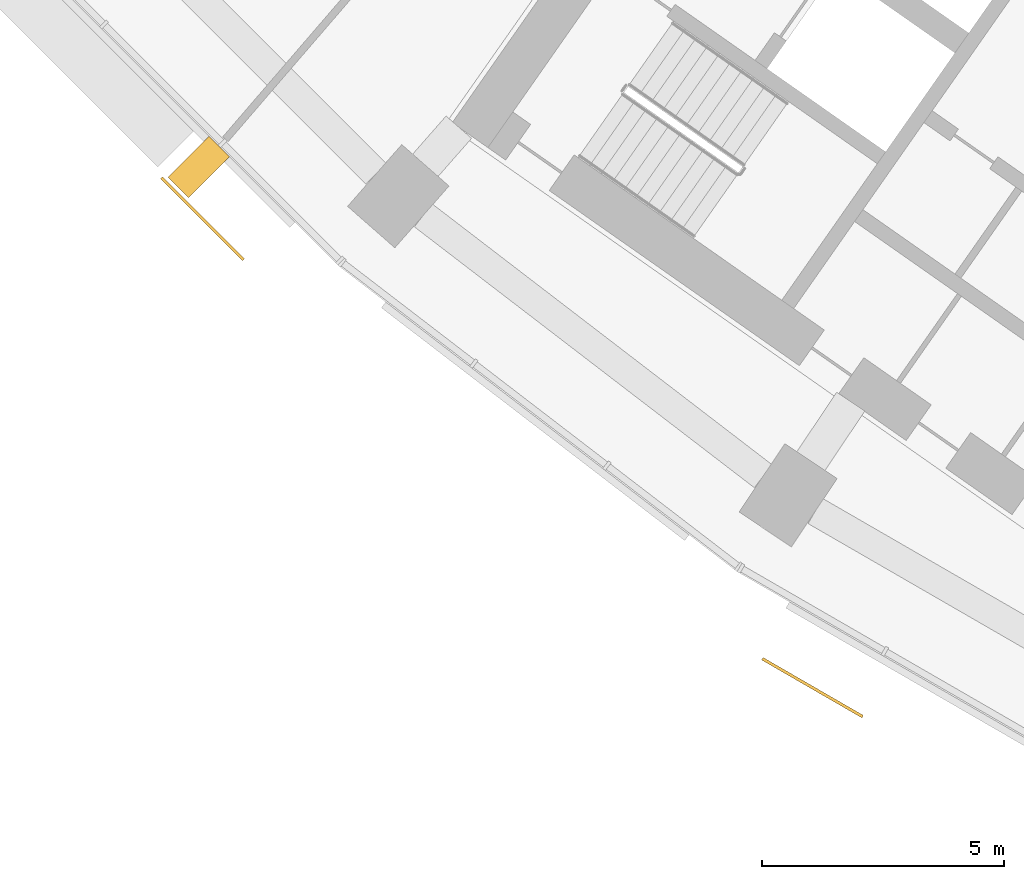
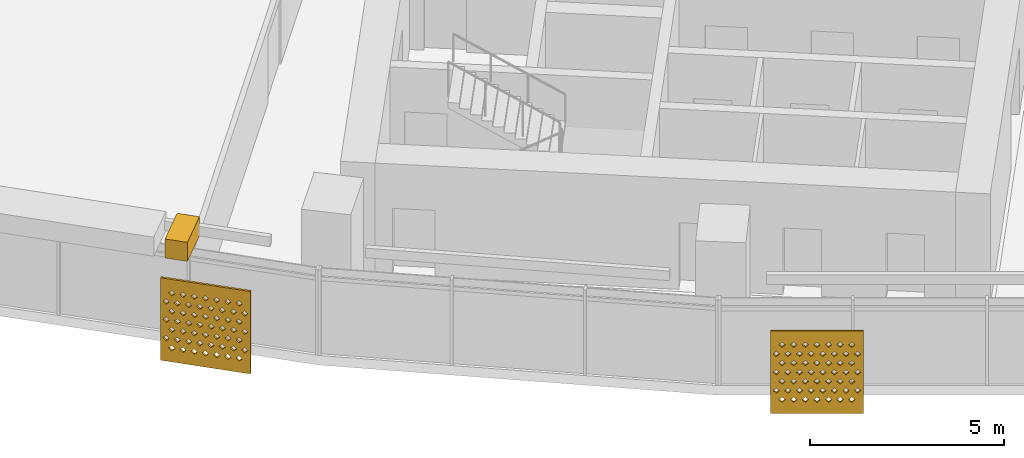
# One storey, part 26 of 30: 3 shading devices.
"""IFC4 building model written with IfcOpenShell, lengths in metres."""

import ifcopenshell
import ifcopenshell.guid

model = None  # the IFC model being written
_history = None  # IfcOwnerHistory: only IFC2X3 demands one
_inside = {}  # id of a spatial element -> (the spatial element, [elements in it])
_under = {}  # id of a project, library or spatial element -> (it, [spatial elements below it])
_declared = {}  # id of a project -> (the project, [libraries it declares])
_typed = {}  # id of a type object -> (the type object, [elements of that type])
_made_of = {}  # id of a material, layer set ... -> (it, [elements and type objects made of it])


def new_model(schema):
    """Start an empty IFC model of exactly this schema.

    Asked for "IFC4X3", IfcOpenShell would pick the latest addendum, in which some entities
    have other attributes; the version numbers below select the first issue.
    IFC2X3 requires an IfcOwnerHistory on every rooted entity: one is made here for all.
    """
    global model, _history
    if schema == "IFC4X3":
        model = ifcopenshell.file(schema_version=(4, 3, 0, 0))
    else:
        model = ifcopenshell.file(schema=schema)
    _inside.clear()
    _under.clear()
    _declared.clear()
    _typed.clear()
    _made_of.clear()
    _history = None
    if model.schema == "IFC2X3":
        org = make("IfcOrganization", Name="unknown")
        user = make(
            "IfcPersonAndOrganization",
            ThePerson=make("IfcPerson", FamilyName="unknown"),
            TheOrganization=org,
        )
        app = make(
            "IfcApplication",
            ApplicationDeveloper=org,
            Version="unknown",
            ApplicationFullName="unknown",
            ApplicationIdentifier="unknown",
        )
        _history = make(
            "IfcOwnerHistory",
            OwningUser=user,
            OwningApplication=app,
            ChangeAction="ADDED",
            CreationDate=0,
        )
    return model


def make(cls, **values):
    """One entity of the class cls with the attributes given. An attribute that is None is left unset."""
    return model.create_entity(
        cls, **{name: value for name, value in values.items() if value is not None}
    )


def rooted(cls, **values):
    """An entity with a GlobalId (a new one), such as an element, a storey or a relation."""
    return make(cls, GlobalId=ifcopenshell.guid.new(), OwnerHistory=_history, **values)


def si_unit(unit_type, name, prefix=None):
    """IfcSIUnit, for example si_unit("LENGTHUNIT", "METRE", prefix="MILLI")."""
    return make("IfcSIUnit", UnitType=unit_type, Prefix=prefix, Name=name)


def assignment(units):
    """IfcUnitAssignment: the units of a project."""
    return None if units is None else make("IfcUnitAssignment", Units=units)


def point(xyz):
    """IfcCartesianPoint."""
    return None if xyz is None else make("IfcCartesianPoint", Coordinates=xyz)


def direction(xyz):
    """IfcDirection."""
    return None if xyz is None else make("IfcDirection", DirectionRatios=xyz)


def frame(location, z_axis=None, x_axis=None):
    """IfcAxis2Placement3D, a coordinate frame: its origin and axes. An axis left out is left unset."""
    return make(
        "IfcAxis2Placement3D",
        Location=point(location),
        Axis=direction(z_axis),
        RefDirection=direction(x_axis),
    )


def origin():
    """The frame at (0, 0, 0) with its axes left unset."""
    return frame((0.0, 0.0, 0.0))


def place(relative_to, where):
    """IfcLocalPlacement: puts the frame where relative to a parent placement (None: the world)."""
    return make(
        "IfcLocalPlacement", PlacementRelTo=relative_to, RelativePlacement=where
    )


def context(
    kind, dimensions, precision=None, world=None, true_north=None, identifier=None
):
    """IfcGeometricRepresentationContext, for example the 3D "Model" context."""
    return make(
        "IfcGeometricRepresentationContext",
        ContextIdentifier=identifier,
        ContextType=kind,
        CoordinateSpaceDimension=dimensions,
        Precision=precision,
        WorldCoordinateSystem=world,
        TrueNorth=true_north,
    )


def subcontext(parent, identifier, kind, view, scale=None):
    """IfcGeometricRepresentationSubContext, for example "Body" below "Model"."""
    return make(
        "IfcGeometricRepresentationSubContext",
        ContextIdentifier=identifier,
        ContextType=kind,
        ParentContext=parent,
        TargetScale=scale,
        TargetView=view,
    )


def project(units=None, contexts=None):
    """IfcProject with its units and contexts."""
    return rooted(
        "IfcProject",
        Name="project",
        RepresentationContexts=contexts,
        UnitsInContext=assignment(units),
    )


def spatial(cls, under=None, at=None, **own):
    """A site, building, storey or space (cls), placed at a placement, below another one or the project."""
    s = rooted(cls, ObjectPlacement=at, **own)
    if under is not None:
        _under.setdefault(under.id(), (under, []))[1].append(s)
    return s


def polyline(points):
    """IfcPolyline through the points."""
    return make("IfcPolyline", Points=[point(p) for p in points])


def outline(outer, holes=None, kind="AREA"):
    """IfcArbitraryClosedProfileDef: a profile drawn as a closed curve; with holes, ...WithVoids."""
    if holes is None:
        return make("IfcArbitraryClosedProfileDef", ProfileType=kind, OuterCurve=outer)
    return make(
        "IfcArbitraryProfileDefWithVoids",
        ProfileType=kind,
        OuterCurve=outer,
        InnerCurves=holes,
    )


def extrude(swept, where, along, depth):
    """IfcExtrudedAreaSolid: the profile swept, set in the frame where, extruded along a direction by depth."""
    return make(
        "IfcExtrudedAreaSolid",
        SweptArea=swept,
        Position=where,
        ExtrudedDirection=direction(along),
        Depth=depth,
    )


def shape(context_of_items, identifier, shape_type, items):
    """IfcShapeRepresentation: the items that make up one representation, for example the "Body"."""
    return make(
        "IfcShapeRepresentation",
        ContextOfItems=context_of_items,
        RepresentationIdentifier=identifier,
        RepresentationType=shape_type,
        Items=items,
    )


def material(Name=None, Category=None):
    """IfcMaterial."""
    return make("IfcMaterial", Name=Name, Category=Category)


def material_profile(
    of_material, cross_section, Name=None, Category=None, Priority=None
):
    """IfcMaterialProfile: a cross section and its material."""
    return make(
        "IfcMaterialProfile",
        Name=Name,
        Material=of_material,
        Profile=cross_section,
        Priority=Priority,
        Category=Category,
    )


def profile_set(profiles, Name=None, composite=None):
    """IfcMaterialProfileSet."""
    return make(
        "IfcMaterialProfileSet",
        Name=Name,
        MaterialProfiles=profiles,
        CompositeProfile=composite,
    )


def made_of(thing, what):
    """Note that an element or type object is made of a material, layer set ...; save() writes the relation."""
    if what is not None:
        _made_of.setdefault(what.id(), (what, []))[1].append(thing)
    return thing


def type_object(cls, material=None, **own):
    """A type object (cls), such as IfcWallType, which elements share."""
    return made_of(rooted(cls, **own), material)


def element(
    cls,
    number,
    at=None,
    inside=None,
    cuts=None,
    type_object=None,
    material=None,
    context=None,
    identifier="Body",
    shape_type=None,
    held_by="IfcProductDefinitionShape",
    body=None,
    shapes=None,
    **own,
):
    """One element of the class cls, such as IfcWall. Its Tag is "e" and its number.

    at: its placement. inside: the storey or other place that contains it. cuts: it is an
    opening in that element (IfcRelVoidsElement). A single representation is given by context,
    identifier, shape_type and body (its items); several are given by shapes. held_by: the class
    of the entity that holds the representations. save() writes the other relations.
    """
    e = rooted(cls, Tag="e%d" % number, ObjectPlacement=at, **own)
    if body is not None:
        shapes = [shape(context, identifier, shape_type, body)]
    if shapes is not None:
        e.Representation = make(held_by, Representations=shapes)
    if inside is not None:
        _inside.setdefault(inside.id(), (inside, []))[1].append(e)
    if cuts is not None:
        rooted(
            "IfcRelVoidsElement", RelatingBuildingElement=cuts, RelatedOpeningElement=e
        )
    if type_object is not None:
        _typed.setdefault(type_object.id(), (type_object, []))[1].append(e)
    return made_of(e, material)


def aggregate(whole, parts):
    """IfcRelAggregates: a whole, such as a stair, and the parts it consists of."""
    return rooted("IfcRelAggregates", RelatingObject=whole, RelatedObjects=parts)


def save(model, path):
    """Write the relations noted so far, then the file.

    IfcRelAggregates (storeys below a building ...), IfcRelContainedInSpatialStructure (elements
    in a storey), IfcRelDefinesByType, IfcRelAssociatesMaterial and IfcRelDeclares: one each for
    every whole, place, type object, material and project.
    """
    for whole, parts in _under.values():
        aggregate(whole, parts)
    for where, things in _inside.values():
        rooted(
            "IfcRelContainedInSpatialStructure",
            RelatedElements=things,
            RelatingStructure=where,
        )
    for kind, things in _typed.values():
        rooted("IfcRelDefinesByType", RelatedObjects=things, RelatingType=kind)
    for what, things in _made_of.values():
        rooted("IfcRelAssociatesMaterial", RelatedObjects=things, RelatingMaterial=what)
    for by, libraries in _declared.values():
        rooted("IfcRelDeclares", RelatingContext=by, RelatedDefinitions=libraries)
    model.write(path)


model = new_model("IFC4")

# Units and contexts
model_context = context("Model", 3, precision=1e-05, world=origin(), true_north=direction((0.0, 1.0)))
body_context = subcontext(model_context, "Body", "Model", "MODEL_VIEW")
ifc_project = project(units=[si_unit("LENGTHUNIT", "METRE"), si_unit("AREAUNIT", "SQUARE_METRE"), si_unit("VOLUMEUNIT", "CUBIC_METRE"), si_unit("PLANEANGLEUNIT", "RADIAN"), si_unit("MASSUNIT", "GRAM", prefix="KILO")], contexts=[model_context])

# Site, building, storey
site_placement = place(None, origin())
site = spatial("IfcSite", under=ifc_project, at=site_placement, CompositionType="ELEMENT")
building_placement = place(site_placement, origin())
building = spatial("IfcBuilding", under=site, at=building_placement, Name="Qamariyya Broadcast Tower", CompositionType="ELEMENT")
storey_placement = place(building_placement, frame((0.0, 0.0, 67.10009765625)))
storey = spatial("IfcBuildingStorey", under=building, at=storey_placement, Name="L13", CompositionType="ELEMENT", Elevation=67.10009765625)

# Shading devices
ifc_material_1 = material(Name="Steel S355 powder coated deep red", Category="steel")
shading_device_type_1 = type_object("IfcShadingDeviceType", Name="Deep red frame, powder coated steel box section", PredefinedType="USERDEFINED", material=ifc_material_1)
shading_device_1_placement = place(storey_placement, frame((0.0, 0.0, 3.199951171875)))
element("IfcShadingDevice", 1, at=shading_device_1_placement, inside=storey, type_object=shading_device_type_1, Name="e-frm-B1-F1-postb-L13", ObjectType="FRAME", PredefinedType="USERDEFINED", context=body_context, shape_type="SweptSolid", body=[
    extrude(outline(polyline([(-55.184814453125, -57.21630859375), (-56.033203125, -58.064697265625), (-55.60888671875, -58.489013671875), (-54.760498046875, -57.640380859375), (-55.184814453125, -57.21630859375)])), origin(), (0.0, 0.0, 1.0), 0.599853515625),
])
ifc_material_2 = material(Name="Perforated glazed terracotta", Category="masonry")
ifc_material_profile = material_profile(ifc_material_2, outline(polyline([(-1.199951171875, -1.300048828125), (1.199951171875, -1.300048828125), (1.199951171875, 1.300048828125), (-1.199951171875, 1.300048828125), (-1.199951171875, -1.300048828125)]), holes=[polyline([(-0.81494140625, -0.86669921875), (-0.89990234375, -0.78173828125), (-0.985107421875, -0.86669921875), (-0.89990234375, -0.95166015625), (-0.81494140625, -0.86669921875)]), polyline([(-0.514892578125, -0.86669921875), (-0.60009765625, -0.78173828125), (-0.68505859375, -0.86669921875), (-0.60009765625, -0.95166015625), (-0.514892578125, -0.86669921875)]), polyline([(-0.215087890625, -0.86669921875), (-0.300048828125, -0.78173828125), (-0.385009765625, -0.86669921875), (-0.300048828125, -0.95166015625), (-0.215087890625, -0.86669921875)]), polyline([(0.0849609375, -0.86669921875), (0.0, -0.78173828125), (-0.0849609375, -0.86669921875), (0.0, -0.95166015625), (0.0849609375, -0.86669921875)]), polyline([(0.385009765625, -0.86669921875), (0.300048828125, -0.78173828125), (0.215087890625, -0.86669921875), (0.300048828125, -0.95166015625), (0.385009765625, -0.86669921875)]), polyline([(0.68505859375, -0.86669921875), (0.60009765625, -0.78173828125), (0.514892578125, -0.86669921875), (0.60009765625, -0.95166015625), (0.68505859375, -0.86669921875)]), polyline([(0.985107421875, -0.86669921875), (0.89990234375, -0.78173828125), (0.81494140625, -0.86669921875), (0.89990234375, -0.95166015625), (0.985107421875, -0.86669921875)]), polyline([(-0.965087890625, -0.577880859375), (-1.050048828125, -0.49267578125), (-1.135009765625, -0.577880859375), (-1.050048828125, -0.662841796875), (-0.965087890625, -0.577880859375)]), polyline([(-0.6650390625, -0.577880859375), (-0.75, -0.49267578125), (-0.8349609375, -0.577880859375), (-0.75, -0.662841796875), (-0.6650390625, -0.577880859375)]), polyline([(-0.364990234375, -0.577880859375), (-0.449951171875, -0.49267578125), (-0.534912109375, -0.577880859375), (-0.449951171875, -0.662841796875), (-0.364990234375, -0.577880859375)]), polyline([(-0.06494140625, -0.577880859375), (-0.14990234375, -0.49267578125), (-0.235107421875, -0.577880859375), (-0.14990234375, -0.662841796875), (-0.06494140625, -0.577880859375)]), polyline([(0.235107421875, -0.577880859375), (0.14990234375, -0.49267578125), (0.06494140625, -0.577880859375), (0.14990234375, -0.662841796875), (0.235107421875, -0.577880859375)]), polyline([(0.534912109375, -0.577880859375), (0.449951171875, -0.49267578125), (0.364990234375, -0.577880859375), (0.449951171875, -0.662841796875), (0.534912109375, -0.577880859375)]), polyline([(0.8349609375, -0.577880859375), (0.75, -0.49267578125), (0.6650390625, -0.577880859375), (0.75, -0.662841796875), (0.8349609375, -0.577880859375)]), polyline([(1.135009765625, -0.577880859375), (1.050048828125, -0.49267578125), (0.965087890625, -0.577880859375), (1.050048828125, -0.662841796875), (1.135009765625, -0.577880859375)]), polyline([(-0.81494140625, -0.288818359375), (-0.89990234375, -0.203857421875), (-0.985107421875, -0.288818359375), (-0.89990234375, -0.373779296875), (-0.81494140625, -0.288818359375)]), polyline([(-0.514892578125, -0.288818359375), (-0.60009765625, -0.203857421875), (-0.68505859375, -0.288818359375), (-0.60009765625, -0.373779296875), (-0.514892578125, -0.288818359375)]), polyline([(-0.215087890625, -0.288818359375), (-0.300048828125, -0.203857421875), (-0.385009765625, -0.288818359375), (-0.300048828125, -0.373779296875), (-0.215087890625, -0.288818359375)]), polyline([(0.0849609375, -0.288818359375), (0.0, -0.203857421875), (-0.0849609375, -0.288818359375), (0.0, -0.373779296875), (0.0849609375, -0.288818359375)]), polyline([(0.385009765625, -0.288818359375), (0.300048828125, -0.203857421875), (0.215087890625, -0.288818359375), (0.300048828125, -0.373779296875), (0.385009765625, -0.288818359375)]), polyline([(0.68505859375, -0.288818359375), (0.60009765625, -0.203857421875), (0.514892578125, -0.288818359375), (0.60009765625, -0.373779296875), (0.68505859375, -0.288818359375)]), polyline([(0.985107421875, -0.288818359375), (0.89990234375, -0.203857421875), (0.81494140625, -0.288818359375), (0.89990234375, -0.373779296875), (0.985107421875, -0.288818359375)]), polyline([(-0.965087890625, 0.0), (-1.050048828125, 0.0849609375), (-1.135009765625, 0.0), (-1.050048828125, -0.0849609375), (-0.965087890625, 0.0)]), polyline([(-0.6650390625, 0.0), (-0.75, 0.0849609375), (-0.8349609375, 0.0), (-0.75, -0.0849609375), (-0.6650390625, 0.0)]), polyline([(-0.364990234375, 0.0), (-0.449951171875, 0.0849609375), (-0.534912109375, 0.0), (-0.449951171875, -0.0849609375), (-0.364990234375, 0.0)]), polyline([(-0.06494140625, 0.0), (-0.14990234375, 0.0849609375), (-0.235107421875, 0.0), (-0.14990234375, -0.0849609375), (-0.06494140625, 0.0)]), polyline([(0.235107421875, 0.0), (0.14990234375, 0.0849609375), (0.06494140625, 0.0), (0.14990234375, -0.0849609375), (0.235107421875, 0.0)]), polyline([(0.534912109375, 0.0), (0.449951171875, 0.0849609375), (0.364990234375, 0.0), (0.449951171875, -0.0849609375), (0.534912109375, 0.0)]), polyline([(0.8349609375, 0.0), (0.75, 0.0849609375), (0.6650390625, 0.0), (0.75, -0.0849609375), (0.8349609375, 0.0)]), polyline([(1.135009765625, 0.0), (1.050048828125, 0.0849609375), (0.965087890625, 0.0), (1.050048828125, -0.0849609375), (1.135009765625, 0.0)]), polyline([(-0.81494140625, 0.288818359375), (-0.89990234375, 0.373779296875), (-0.985107421875, 0.288818359375), (-0.89990234375, 0.203857421875), (-0.81494140625, 0.288818359375)]), polyline([(-0.514892578125, 0.288818359375), (-0.60009765625, 0.373779296875), (-0.68505859375, 0.288818359375), (-0.60009765625, 0.203857421875), (-0.514892578125, 0.288818359375)]), polyline([(-0.215087890625, 0.288818359375), (-0.300048828125, 0.373779296875), (-0.385009765625, 0.288818359375), (-0.300048828125, 0.203857421875), (-0.215087890625, 0.288818359375)]), polyline([(0.0849609375, 0.288818359375), (0.0, 0.373779296875), (-0.0849609375, 0.288818359375), (0.0, 0.203857421875), (0.0849609375, 0.288818359375)]), polyline([(0.385009765625, 0.288818359375), (0.300048828125, 0.373779296875), (0.215087890625, 0.288818359375), (0.300048828125, 0.203857421875), (0.385009765625, 0.288818359375)]), polyline([(0.68505859375, 0.288818359375), (0.60009765625, 0.373779296875), (0.514892578125, 0.288818359375), (0.60009765625, 0.203857421875), (0.68505859375, 0.288818359375)]), polyline([(0.985107421875, 0.288818359375), (0.89990234375, 0.373779296875), (0.81494140625, 0.288818359375), (0.89990234375, 0.203857421875), (0.985107421875, 0.288818359375)]), polyline([(-0.965087890625, 0.577880859375), (-1.050048828125, 0.662841796875), (-1.135009765625, 0.577880859375), (-1.050048828125, 0.49267578125), (-0.965087890625, 0.577880859375)]), polyline([(-0.6650390625, 0.577880859375), (-0.75, 0.662841796875), (-0.8349609375, 0.577880859375), (-0.75, 0.49267578125), (-0.6650390625, 0.577880859375)]), polyline([(-0.364990234375, 0.577880859375), (-0.449951171875, 0.662841796875), (-0.534912109375, 0.577880859375), (-0.449951171875, 0.49267578125), (-0.364990234375, 0.577880859375)]), polyline([(-0.06494140625, 0.577880859375), (-0.14990234375, 0.662841796875), (-0.235107421875, 0.577880859375), (-0.14990234375, 0.49267578125), (-0.06494140625, 0.577880859375)]), polyline([(0.235107421875, 0.577880859375), (0.14990234375, 0.662841796875), (0.06494140625, 0.577880859375), (0.14990234375, 0.49267578125), (0.235107421875, 0.577880859375)]), polyline([(0.534912109375, 0.577880859375), (0.449951171875, 0.662841796875), (0.364990234375, 0.577880859375), (0.449951171875, 0.49267578125), (0.534912109375, 0.577880859375)]), polyline([(0.8349609375, 0.577880859375), (0.75, 0.662841796875), (0.6650390625, 0.577880859375), (0.75, 0.49267578125), (0.8349609375, 0.577880859375)]), polyline([(1.135009765625, 0.577880859375), (1.050048828125, 0.662841796875), (0.965087890625, 0.577880859375), (1.050048828125, 0.49267578125), (1.135009765625, 0.577880859375)]), polyline([(-0.81494140625, 0.86669921875), (-0.89990234375, 0.95166015625), (-0.985107421875, 0.86669921875), (-0.89990234375, 0.78173828125), (-0.81494140625, 0.86669921875)]), polyline([(-0.514892578125, 0.86669921875), (-0.60009765625, 0.95166015625), (-0.68505859375, 0.86669921875), (-0.60009765625, 0.78173828125), (-0.514892578125, 0.86669921875)]), polyline([(-0.215087890625, 0.86669921875), (-0.300048828125, 0.95166015625), (-0.385009765625, 0.86669921875), (-0.300048828125, 0.78173828125), (-0.215087890625, 0.86669921875)]), polyline([(0.0849609375, 0.86669921875), (0.0, 0.95166015625), (-0.0849609375, 0.86669921875), (0.0, 0.78173828125), (0.0849609375, 0.86669921875)]), polyline([(0.385009765625, 0.86669921875), (0.300048828125, 0.95166015625), (0.215087890625, 0.86669921875), (0.300048828125, 0.78173828125), (0.385009765625, 0.86669921875)]), polyline([(0.68505859375, 0.86669921875), (0.60009765625, 0.95166015625), (0.514892578125, 0.86669921875), (0.60009765625, 0.78173828125), (0.68505859375, 0.86669921875)]), polyline([(0.985107421875, 0.86669921875), (0.89990234375, 0.95166015625), (0.81494140625, 0.86669921875), (0.89990234375, 0.78173828125), (0.985107421875, 0.86669921875)])]))
ifc_profile_set = profile_set([ifc_material_profile], Name="Perforated glazed terracotta")
shading_device_type_2 = type_object("IfcShadingDeviceType", Name="Perforated terracotta screen 2400 x 2600", PredefinedType="USERDEFINED", material=ifc_profile_set)
shading_device_2_placement = place(storey_placement, frame((-55.293701171875, -58.9033203125, 1.349853515625), z_axis=(-0.707106781187, -0.707106781187, 0.0), x_axis=(0.707106781187, -0.707106781187, 0.0)))
element("IfcShadingDevice", 2, at=shading_device_2_placement, inside=storey, type_object=shading_device_type_2, Name="e-scr-L13-02-2", ObjectType="SCREEN", PredefinedType="USERDEFINED", context=body_context, shape_type="SweptSolid", body=[
    extrude(outline(polyline([(-1.199951171875, -1.300048828125), (1.199951171875, -1.300048828125), (1.199951171875, 1.300048828125), (-1.199951171875, 1.300048828125), (-1.199951171875, -1.300048828125)]), holes=[polyline([(-0.81494140625, -0.86669921875), (-0.89990234375, -0.78173828125), (-0.985107421875, -0.86669921875), (-0.89990234375, -0.95166015625), (-0.81494140625, -0.86669921875)]), polyline([(-0.514892578125, -0.86669921875), (-0.60009765625, -0.78173828125), (-0.68505859375, -0.86669921875), (-0.60009765625, -0.95166015625), (-0.514892578125, -0.86669921875)]), polyline([(-0.215087890625, -0.86669921875), (-0.300048828125, -0.78173828125), (-0.385009765625, -0.86669921875), (-0.300048828125, -0.95166015625), (-0.215087890625, -0.86669921875)]), polyline([(0.0849609375, -0.86669921875), (0.0, -0.78173828125), (-0.0849609375, -0.86669921875), (0.0, -0.95166015625), (0.0849609375, -0.86669921875)]), polyline([(0.385009765625, -0.86669921875), (0.300048828125, -0.78173828125), (0.215087890625, -0.86669921875), (0.300048828125, -0.95166015625), (0.385009765625, -0.86669921875)]), polyline([(0.68505859375, -0.86669921875), (0.60009765625, -0.78173828125), (0.514892578125, -0.86669921875), (0.60009765625, -0.95166015625), (0.68505859375, -0.86669921875)]), polyline([(0.985107421875, -0.86669921875), (0.89990234375, -0.78173828125), (0.81494140625, -0.86669921875), (0.89990234375, -0.95166015625), (0.985107421875, -0.86669921875)]), polyline([(-0.965087890625, -0.577880859375), (-1.050048828125, -0.49267578125), (-1.135009765625, -0.577880859375), (-1.050048828125, -0.662841796875), (-0.965087890625, -0.577880859375)]), polyline([(-0.6650390625, -0.577880859375), (-0.75, -0.49267578125), (-0.8349609375, -0.577880859375), (-0.75, -0.662841796875), (-0.6650390625, -0.577880859375)]), polyline([(-0.364990234375, -0.577880859375), (-0.449951171875, -0.49267578125), (-0.534912109375, -0.577880859375), (-0.449951171875, -0.662841796875), (-0.364990234375, -0.577880859375)]), polyline([(-0.06494140625, -0.577880859375), (-0.14990234375, -0.49267578125), (-0.235107421875, -0.577880859375), (-0.14990234375, -0.662841796875), (-0.06494140625, -0.577880859375)]), polyline([(0.235107421875, -0.577880859375), (0.14990234375, -0.49267578125), (0.06494140625, -0.577880859375), (0.14990234375, -0.662841796875), (0.235107421875, -0.577880859375)]), polyline([(0.534912109375, -0.577880859375), (0.449951171875, -0.49267578125), (0.364990234375, -0.577880859375), (0.449951171875, -0.662841796875), (0.534912109375, -0.577880859375)]), polyline([(0.8349609375, -0.577880859375), (0.75, -0.49267578125), (0.6650390625, -0.577880859375), (0.75, -0.662841796875), (0.8349609375, -0.577880859375)]), polyline([(1.135009765625, -0.577880859375), (1.050048828125, -0.49267578125), (0.965087890625, -0.577880859375), (1.050048828125, -0.662841796875), (1.135009765625, -0.577880859375)]), polyline([(-0.81494140625, -0.288818359375), (-0.89990234375, -0.203857421875), (-0.985107421875, -0.288818359375), (-0.89990234375, -0.373779296875), (-0.81494140625, -0.288818359375)]), polyline([(-0.514892578125, -0.288818359375), (-0.60009765625, -0.203857421875), (-0.68505859375, -0.288818359375), (-0.60009765625, -0.373779296875), (-0.514892578125, -0.288818359375)]), polyline([(-0.215087890625, -0.288818359375), (-0.300048828125, -0.203857421875), (-0.385009765625, -0.288818359375), (-0.300048828125, -0.373779296875), (-0.215087890625, -0.288818359375)]), polyline([(0.0849609375, -0.288818359375), (0.0, -0.203857421875), (-0.0849609375, -0.288818359375), (0.0, -0.373779296875), (0.0849609375, -0.288818359375)]), polyline([(0.385009765625, -0.288818359375), (0.300048828125, -0.203857421875), (0.215087890625, -0.288818359375), (0.300048828125, -0.373779296875), (0.385009765625, -0.288818359375)]), polyline([(0.68505859375, -0.288818359375), (0.60009765625, -0.203857421875), (0.514892578125, -0.288818359375), (0.60009765625, -0.373779296875), (0.68505859375, -0.288818359375)]), polyline([(0.985107421875, -0.288818359375), (0.89990234375, -0.203857421875), (0.81494140625, -0.288818359375), (0.89990234375, -0.373779296875), (0.985107421875, -0.288818359375)]), polyline([(-0.965087890625, 0.0), (-1.050048828125, 0.0849609375), (-1.135009765625, 0.0), (-1.050048828125, -0.0849609375), (-0.965087890625, 0.0)]), polyline([(-0.6650390625, 0.0), (-0.75, 0.0849609375), (-0.8349609375, 0.0), (-0.75, -0.0849609375), (-0.6650390625, 0.0)]), polyline([(-0.364990234375, 0.0), (-0.449951171875, 0.0849609375), (-0.534912109375, 0.0), (-0.449951171875, -0.0849609375), (-0.364990234375, 0.0)]), polyline([(-0.06494140625, 0.0), (-0.14990234375, 0.0849609375), (-0.235107421875, 0.0), (-0.14990234375, -0.0849609375), (-0.06494140625, 0.0)]), polyline([(0.235107421875, 0.0), (0.14990234375, 0.0849609375), (0.06494140625, 0.0), (0.14990234375, -0.0849609375), (0.235107421875, 0.0)]), polyline([(0.534912109375, 0.0), (0.449951171875, 0.0849609375), (0.364990234375, 0.0), (0.449951171875, -0.0849609375), (0.534912109375, 0.0)]), polyline([(0.8349609375, 0.0), (0.75, 0.0849609375), (0.6650390625, 0.0), (0.75, -0.0849609375), (0.8349609375, 0.0)]), polyline([(1.135009765625, 0.0), (1.050048828125, 0.0849609375), (0.965087890625, 0.0), (1.050048828125, -0.0849609375), (1.135009765625, 0.0)]), polyline([(-0.81494140625, 0.288818359375), (-0.89990234375, 0.373779296875), (-0.985107421875, 0.288818359375), (-0.89990234375, 0.203857421875), (-0.81494140625, 0.288818359375)]), polyline([(-0.514892578125, 0.288818359375), (-0.60009765625, 0.373779296875), (-0.68505859375, 0.288818359375), (-0.60009765625, 0.203857421875), (-0.514892578125, 0.288818359375)]), polyline([(-0.215087890625, 0.288818359375), (-0.300048828125, 0.373779296875), (-0.385009765625, 0.288818359375), (-0.300048828125, 0.203857421875), (-0.215087890625, 0.288818359375)]), polyline([(0.0849609375, 0.288818359375), (0.0, 0.373779296875), (-0.0849609375, 0.288818359375), (0.0, 0.203857421875), (0.0849609375, 0.288818359375)]), polyline([(0.385009765625, 0.288818359375), (0.300048828125, 0.373779296875), (0.215087890625, 0.288818359375), (0.300048828125, 0.203857421875), (0.385009765625, 0.288818359375)]), polyline([(0.68505859375, 0.288818359375), (0.60009765625, 0.373779296875), (0.514892578125, 0.288818359375), (0.60009765625, 0.203857421875), (0.68505859375, 0.288818359375)]), polyline([(0.985107421875, 0.288818359375), (0.89990234375, 0.373779296875), (0.81494140625, 0.288818359375), (0.89990234375, 0.203857421875), (0.985107421875, 0.288818359375)]), polyline([(-0.965087890625, 0.577880859375), (-1.050048828125, 0.662841796875), (-1.135009765625, 0.577880859375), (-1.050048828125, 0.49267578125), (-0.965087890625, 0.577880859375)]), polyline([(-0.6650390625, 0.577880859375), (-0.75, 0.662841796875), (-0.8349609375, 0.577880859375), (-0.75, 0.49267578125), (-0.6650390625, 0.577880859375)]), polyline([(-0.364990234375, 0.577880859375), (-0.449951171875, 0.662841796875), (-0.534912109375, 0.577880859375), (-0.449951171875, 0.49267578125), (-0.364990234375, 0.577880859375)]), polyline([(-0.06494140625, 0.577880859375), (-0.14990234375, 0.662841796875), (-0.235107421875, 0.577880859375), (-0.14990234375, 0.49267578125), (-0.06494140625, 0.577880859375)]), polyline([(0.235107421875, 0.577880859375), (0.14990234375, 0.662841796875), (0.06494140625, 0.577880859375), (0.14990234375, 0.49267578125), (0.235107421875, 0.577880859375)]), polyline([(0.534912109375, 0.577880859375), (0.449951171875, 0.662841796875), (0.364990234375, 0.577880859375), (0.449951171875, 0.49267578125), (0.534912109375, 0.577880859375)]), polyline([(0.8349609375, 0.577880859375), (0.75, 0.662841796875), (0.6650390625, 0.577880859375), (0.75, 0.49267578125), (0.8349609375, 0.577880859375)]), polyline([(1.135009765625, 0.577880859375), (1.050048828125, 0.662841796875), (0.965087890625, 0.577880859375), (1.050048828125, 0.49267578125), (1.135009765625, 0.577880859375)]), polyline([(-0.81494140625, 0.86669921875), (-0.89990234375, 0.95166015625), (-0.985107421875, 0.86669921875), (-0.89990234375, 0.78173828125), (-0.81494140625, 0.86669921875)]), polyline([(-0.514892578125, 0.86669921875), (-0.60009765625, 0.95166015625), (-0.68505859375, 0.86669921875), (-0.60009765625, 0.78173828125), (-0.514892578125, 0.86669921875)]), polyline([(-0.215087890625, 0.86669921875), (-0.300048828125, 0.95166015625), (-0.385009765625, 0.86669921875), (-0.300048828125, 0.78173828125), (-0.215087890625, 0.86669921875)]), polyline([(0.0849609375, 0.86669921875), (0.0, 0.95166015625), (-0.0849609375, 0.86669921875), (0.0, 0.78173828125), (0.0849609375, 0.86669921875)]), polyline([(0.385009765625, 0.86669921875), (0.300048828125, 0.95166015625), (0.215087890625, 0.86669921875), (0.300048828125, 0.78173828125), (0.385009765625, 0.86669921875)]), polyline([(0.68505859375, 0.86669921875), (0.60009765625, 0.95166015625), (0.514892578125, 0.86669921875), (0.60009765625, 0.78173828125), (0.68505859375, 0.86669921875)]), polyline([(0.985107421875, 0.86669921875), (0.89990234375, 0.95166015625), (0.81494140625, 0.86669921875), (0.89990234375, 0.78173828125), (0.985107421875, 0.86669921875)])]), origin(), (0.0, 0.0, 1.0), 0.06005859375),
])
shading_device_3_placement = place(storey_placement, frame((-42.67578125, -68.6025390625, 1.349853515625), z_axis=(-0.500074377092, -0.865982457891, 0.0), x_axis=(0.865982457891, -0.500074377092, 0.0)))
element("IfcShadingDevice", 3, at=shading_device_3_placement, inside=storey, type_object=shading_device_type_2, Name="e-scr-L13-04-0", ObjectType="SCREEN", PredefinedType="USERDEFINED", context=body_context, shape_type="SweptSolid", body=[
    extrude(outline(polyline([(-1.199951171875, -1.300048828125), (1.199951171875, -1.300048828125), (1.199951171875, 1.300048828125), (-1.199951171875, 1.300048828125), (-1.199951171875, -1.300048828125)]), holes=[polyline([(-0.81494140625, -0.86669921875), (-0.89990234375, -0.78173828125), (-0.985107421875, -0.86669921875), (-0.89990234375, -0.95166015625), (-0.81494140625, -0.86669921875)]), polyline([(-0.514892578125, -0.86669921875), (-0.60009765625, -0.78173828125), (-0.68505859375, -0.86669921875), (-0.60009765625, -0.95166015625), (-0.514892578125, -0.86669921875)]), polyline([(-0.215087890625, -0.86669921875), (-0.300048828125, -0.78173828125), (-0.385009765625, -0.86669921875), (-0.300048828125, -0.95166015625), (-0.215087890625, -0.86669921875)]), polyline([(0.0849609375, -0.86669921875), (0.0, -0.78173828125), (-0.0849609375, -0.86669921875), (0.0, -0.95166015625), (0.0849609375, -0.86669921875)]), polyline([(0.385009765625, -0.86669921875), (0.300048828125, -0.78173828125), (0.215087890625, -0.86669921875), (0.300048828125, -0.95166015625), (0.385009765625, -0.86669921875)]), polyline([(0.68505859375, -0.86669921875), (0.60009765625, -0.78173828125), (0.514892578125, -0.86669921875), (0.60009765625, -0.95166015625), (0.68505859375, -0.86669921875)]), polyline([(0.985107421875, -0.86669921875), (0.89990234375, -0.78173828125), (0.81494140625, -0.86669921875), (0.89990234375, -0.95166015625), (0.985107421875, -0.86669921875)]), polyline([(-0.965087890625, -0.577880859375), (-1.050048828125, -0.49267578125), (-1.135009765625, -0.577880859375), (-1.050048828125, -0.662841796875), (-0.965087890625, -0.577880859375)]), polyline([(-0.6650390625, -0.577880859375), (-0.75, -0.49267578125), (-0.8349609375, -0.577880859375), (-0.75, -0.662841796875), (-0.6650390625, -0.577880859375)]), polyline([(-0.364990234375, -0.577880859375), (-0.449951171875, -0.49267578125), (-0.534912109375, -0.577880859375), (-0.449951171875, -0.662841796875), (-0.364990234375, -0.577880859375)]), polyline([(-0.06494140625, -0.577880859375), (-0.14990234375, -0.49267578125), (-0.235107421875, -0.577880859375), (-0.14990234375, -0.662841796875), (-0.06494140625, -0.577880859375)]), polyline([(0.235107421875, -0.577880859375), (0.14990234375, -0.49267578125), (0.06494140625, -0.577880859375), (0.14990234375, -0.662841796875), (0.235107421875, -0.577880859375)]), polyline([(0.534912109375, -0.577880859375), (0.449951171875, -0.49267578125), (0.364990234375, -0.577880859375), (0.449951171875, -0.662841796875), (0.534912109375, -0.577880859375)]), polyline([(0.8349609375, -0.577880859375), (0.75, -0.49267578125), (0.6650390625, -0.577880859375), (0.75, -0.662841796875), (0.8349609375, -0.577880859375)]), polyline([(1.135009765625, -0.577880859375), (1.050048828125, -0.49267578125), (0.965087890625, -0.577880859375), (1.050048828125, -0.662841796875), (1.135009765625, -0.577880859375)]), polyline([(-0.81494140625, -0.288818359375), (-0.89990234375, -0.203857421875), (-0.985107421875, -0.288818359375), (-0.89990234375, -0.373779296875), (-0.81494140625, -0.288818359375)]), polyline([(-0.514892578125, -0.288818359375), (-0.60009765625, -0.203857421875), (-0.68505859375, -0.288818359375), (-0.60009765625, -0.373779296875), (-0.514892578125, -0.288818359375)]), polyline([(-0.215087890625, -0.288818359375), (-0.300048828125, -0.203857421875), (-0.385009765625, -0.288818359375), (-0.300048828125, -0.373779296875), (-0.215087890625, -0.288818359375)]), polyline([(0.0849609375, -0.288818359375), (0.0, -0.203857421875), (-0.0849609375, -0.288818359375), (0.0, -0.373779296875), (0.0849609375, -0.288818359375)]), polyline([(0.385009765625, -0.288818359375), (0.300048828125, -0.203857421875), (0.215087890625, -0.288818359375), (0.300048828125, -0.373779296875), (0.385009765625, -0.288818359375)]), polyline([(0.68505859375, -0.288818359375), (0.60009765625, -0.203857421875), (0.514892578125, -0.288818359375), (0.60009765625, -0.373779296875), (0.68505859375, -0.288818359375)]), polyline([(0.985107421875, -0.288818359375), (0.89990234375, -0.203857421875), (0.81494140625, -0.288818359375), (0.89990234375, -0.373779296875), (0.985107421875, -0.288818359375)]), polyline([(-0.965087890625, 0.0), (-1.050048828125, 0.0849609375), (-1.135009765625, 0.0), (-1.050048828125, -0.0849609375), (-0.965087890625, 0.0)]), polyline([(-0.6650390625, 0.0), (-0.75, 0.0849609375), (-0.8349609375, 0.0), (-0.75, -0.0849609375), (-0.6650390625, 0.0)]), polyline([(-0.364990234375, 0.0), (-0.449951171875, 0.0849609375), (-0.534912109375, 0.0), (-0.449951171875, -0.0849609375), (-0.364990234375, 0.0)]), polyline([(-0.06494140625, 0.0), (-0.14990234375, 0.0849609375), (-0.235107421875, 0.0), (-0.14990234375, -0.0849609375), (-0.06494140625, 0.0)]), polyline([(0.235107421875, 0.0), (0.14990234375, 0.0849609375), (0.06494140625, 0.0), (0.14990234375, -0.0849609375), (0.235107421875, 0.0)]), polyline([(0.534912109375, 0.0), (0.449951171875, 0.0849609375), (0.364990234375, 0.0), (0.449951171875, -0.0849609375), (0.534912109375, 0.0)]), polyline([(0.8349609375, 0.0), (0.75, 0.0849609375), (0.6650390625, 0.0), (0.75, -0.0849609375), (0.8349609375, 0.0)]), polyline([(1.135009765625, 0.0), (1.050048828125, 0.0849609375), (0.965087890625, 0.0), (1.050048828125, -0.0849609375), (1.135009765625, 0.0)]), polyline([(-0.81494140625, 0.288818359375), (-0.89990234375, 0.373779296875), (-0.985107421875, 0.288818359375), (-0.89990234375, 0.203857421875), (-0.81494140625, 0.288818359375)]), polyline([(-0.514892578125, 0.288818359375), (-0.60009765625, 0.373779296875), (-0.68505859375, 0.288818359375), (-0.60009765625, 0.203857421875), (-0.514892578125, 0.288818359375)]), polyline([(-0.215087890625, 0.288818359375), (-0.300048828125, 0.373779296875), (-0.385009765625, 0.288818359375), (-0.300048828125, 0.203857421875), (-0.215087890625, 0.288818359375)]), polyline([(0.0849609375, 0.288818359375), (0.0, 0.373779296875), (-0.0849609375, 0.288818359375), (0.0, 0.203857421875), (0.0849609375, 0.288818359375)]), polyline([(0.385009765625, 0.288818359375), (0.300048828125, 0.373779296875), (0.215087890625, 0.288818359375), (0.300048828125, 0.203857421875), (0.385009765625, 0.288818359375)]), polyline([(0.68505859375, 0.288818359375), (0.60009765625, 0.373779296875), (0.514892578125, 0.288818359375), (0.60009765625, 0.203857421875), (0.68505859375, 0.288818359375)]), polyline([(0.985107421875, 0.288818359375), (0.89990234375, 0.373779296875), (0.81494140625, 0.288818359375), (0.89990234375, 0.203857421875), (0.985107421875, 0.288818359375)]), polyline([(-0.965087890625, 0.577880859375), (-1.050048828125, 0.662841796875), (-1.135009765625, 0.577880859375), (-1.050048828125, 0.49267578125), (-0.965087890625, 0.577880859375)]), polyline([(-0.6650390625, 0.577880859375), (-0.75, 0.662841796875), (-0.8349609375, 0.577880859375), (-0.75, 0.49267578125), (-0.6650390625, 0.577880859375)]), polyline([(-0.364990234375, 0.577880859375), (-0.449951171875, 0.662841796875), (-0.534912109375, 0.577880859375), (-0.449951171875, 0.49267578125), (-0.364990234375, 0.577880859375)]), polyline([(-0.06494140625, 0.577880859375), (-0.14990234375, 0.662841796875), (-0.235107421875, 0.577880859375), (-0.14990234375, 0.49267578125), (-0.06494140625, 0.577880859375)]), polyline([(0.235107421875, 0.577880859375), (0.14990234375, 0.662841796875), (0.06494140625, 0.577880859375), (0.14990234375, 0.49267578125), (0.235107421875, 0.577880859375)]), polyline([(0.534912109375, 0.577880859375), (0.449951171875, 0.662841796875), (0.364990234375, 0.577880859375), (0.449951171875, 0.49267578125), (0.534912109375, 0.577880859375)]), polyline([(0.8349609375, 0.577880859375), (0.75, 0.662841796875), (0.6650390625, 0.577880859375), (0.75, 0.49267578125), (0.8349609375, 0.577880859375)]), polyline([(1.135009765625, 0.577880859375), (1.050048828125, 0.662841796875), (0.965087890625, 0.577880859375), (1.050048828125, 0.49267578125), (1.135009765625, 0.577880859375)]), polyline([(-0.81494140625, 0.86669921875), (-0.89990234375, 0.95166015625), (-0.985107421875, 0.86669921875), (-0.89990234375, 0.78173828125), (-0.81494140625, 0.86669921875)]), polyline([(-0.514892578125, 0.86669921875), (-0.60009765625, 0.95166015625), (-0.68505859375, 0.86669921875), (-0.60009765625, 0.78173828125), (-0.514892578125, 0.86669921875)]), polyline([(-0.215087890625, 0.86669921875), (-0.300048828125, 0.95166015625), (-0.385009765625, 0.86669921875), (-0.300048828125, 0.78173828125), (-0.215087890625, 0.86669921875)]), polyline([(0.0849609375, 0.86669921875), (0.0, 0.95166015625), (-0.0849609375, 0.86669921875), (0.0, 0.78173828125), (0.0849609375, 0.86669921875)]), polyline([(0.385009765625, 0.86669921875), (0.300048828125, 0.95166015625), (0.215087890625, 0.86669921875), (0.300048828125, 0.78173828125), (0.385009765625, 0.86669921875)]), polyline([(0.68505859375, 0.86669921875), (0.60009765625, 0.95166015625), (0.514892578125, 0.86669921875), (0.60009765625, 0.78173828125), (0.68505859375, 0.86669921875)]), polyline([(0.985107421875, 0.86669921875), (0.89990234375, 0.95166015625), (0.81494140625, 0.86669921875), (0.89990234375, 0.78173828125), (0.985107421875, 0.86669921875)])]), origin(), (0.0, 0.0, 1.0), 0.06005859375),
])

save(model, "model.ifc")
